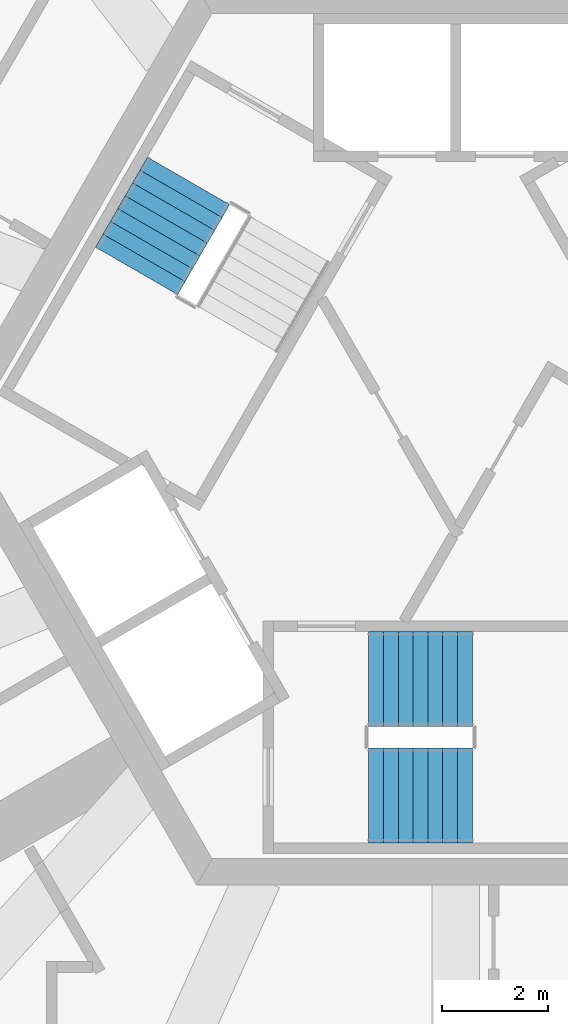
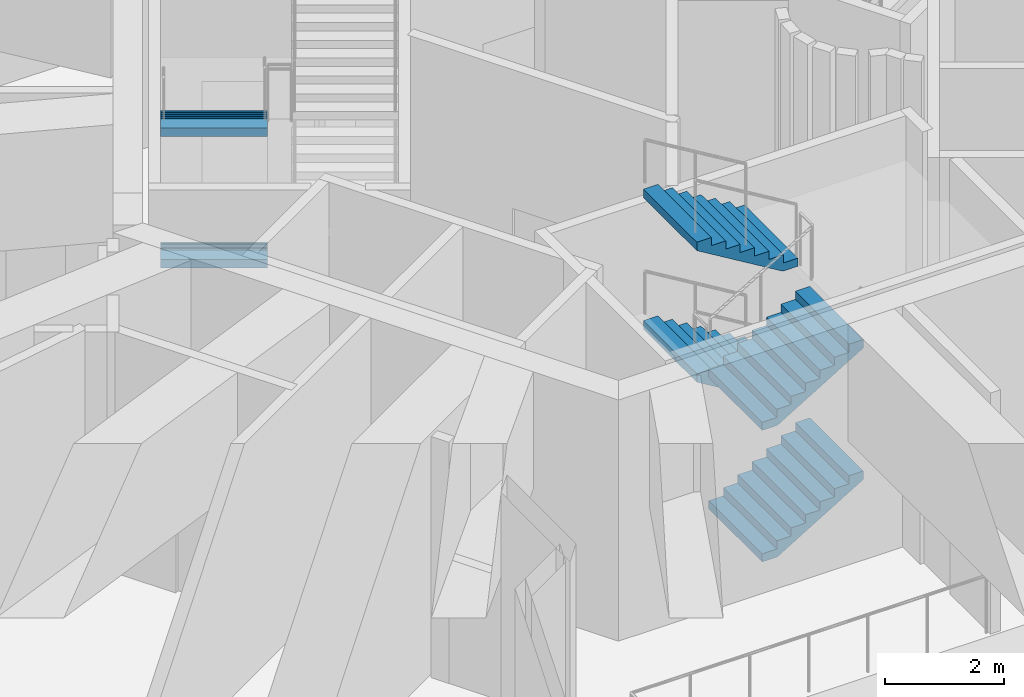
# One storey, part 8 of 15: 6 stair flights, 2 elements without a shape of their own.
"""IFC4 building model written with IfcOpenShell, lengths in metres."""

import ifcopenshell
import ifcopenshell.guid

model = None  # the IFC model being written
_history = None  # IfcOwnerHistory: only IFC2X3 demands one
_inside = {}  # id of a spatial element -> (the spatial element, [elements in it])
_under = {}  # id of a project, library or spatial element -> (it, [spatial elements below it])
_declared = {}  # id of a project -> (the project, [libraries it declares])
_typed = {}  # id of a type object -> (the type object, [elements of that type])
_made_of = {}  # id of a material, layer set ... -> (it, [elements and type objects made of it])


def new_model(schema):
    """Start an empty IFC model of exactly this schema.

    Asked for "IFC4X3", IfcOpenShell would pick the latest addendum, in which some entities
    have other attributes; the version numbers below select the first issue.
    IFC2X3 requires an IfcOwnerHistory on every rooted entity: one is made here for all.
    """
    global model, _history
    if schema == "IFC4X3":
        model = ifcopenshell.file(schema_version=(4, 3, 0, 0))
    else:
        model = ifcopenshell.file(schema=schema)
    _inside.clear()
    _under.clear()
    _declared.clear()
    _typed.clear()
    _made_of.clear()
    _history = None
    if model.schema == "IFC2X3":
        org = make("IfcOrganization", Name="unknown")
        user = make(
            "IfcPersonAndOrganization",
            ThePerson=make("IfcPerson", FamilyName="unknown"),
            TheOrganization=org,
        )
        app = make(
            "IfcApplication",
            ApplicationDeveloper=org,
            Version="unknown",
            ApplicationFullName="unknown",
            ApplicationIdentifier="unknown",
        )
        _history = make(
            "IfcOwnerHistory",
            OwningUser=user,
            OwningApplication=app,
            ChangeAction="ADDED",
            CreationDate=0,
        )
    return model


def make(cls, **values):
    """One entity of the class cls with the attributes given. An attribute that is None is left unset."""
    return model.create_entity(
        cls, **{name: value for name, value in values.items() if value is not None}
    )


def rooted(cls, **values):
    """An entity with a GlobalId (a new one), such as an element, a storey or a relation."""
    return make(cls, GlobalId=ifcopenshell.guid.new(), OwnerHistory=_history, **values)


def si_unit(unit_type, name, prefix=None):
    """IfcSIUnit, for example si_unit("LENGTHUNIT", "METRE", prefix="MILLI")."""
    return make("IfcSIUnit", UnitType=unit_type, Prefix=prefix, Name=name)


def assignment(units):
    """IfcUnitAssignment: the units of a project."""
    return None if units is None else make("IfcUnitAssignment", Units=units)


def point(xyz):
    """IfcCartesianPoint."""
    return None if xyz is None else make("IfcCartesianPoint", Coordinates=xyz)


def direction(xyz):
    """IfcDirection."""
    return None if xyz is None else make("IfcDirection", DirectionRatios=xyz)


def frame(location, z_axis=None, x_axis=None):
    """IfcAxis2Placement3D, a coordinate frame: its origin and axes. An axis left out is left unset."""
    return make(
        "IfcAxis2Placement3D",
        Location=point(location),
        Axis=direction(z_axis),
        RefDirection=direction(x_axis),
    )


def origin():
    """The frame at (0, 0, 0) with its axes left unset."""
    return frame((0.0, 0.0, 0.0))


def place(relative_to, where):
    """IfcLocalPlacement: puts the frame where relative to a parent placement (None: the world)."""
    return make(
        "IfcLocalPlacement", PlacementRelTo=relative_to, RelativePlacement=where
    )


def context(
    kind, dimensions, precision=None, world=None, true_north=None, identifier=None
):
    """IfcGeometricRepresentationContext, for example the 3D "Model" context."""
    return make(
        "IfcGeometricRepresentationContext",
        ContextIdentifier=identifier,
        ContextType=kind,
        CoordinateSpaceDimension=dimensions,
        Precision=precision,
        WorldCoordinateSystem=world,
        TrueNorth=true_north,
    )


def subcontext(parent, identifier, kind, view, scale=None):
    """IfcGeometricRepresentationSubContext, for example "Body" below "Model"."""
    return make(
        "IfcGeometricRepresentationSubContext",
        ContextIdentifier=identifier,
        ContextType=kind,
        ParentContext=parent,
        TargetScale=scale,
        TargetView=view,
    )


def project(units=None, contexts=None):
    """IfcProject with its units and contexts."""
    return rooted(
        "IfcProject",
        Name="project",
        RepresentationContexts=contexts,
        UnitsInContext=assignment(units),
    )


def spatial(cls, under=None, at=None, **own):
    """A site, building, storey or space (cls), placed at a placement, below another one or the project."""
    s = rooted(cls, ObjectPlacement=at, **own)
    if under is not None:
        _under.setdefault(under.id(), (under, []))[1].append(s)
    return s


def point_list(points):
    """IfcCartesianPointList2D or 3D."""
    cls = (
        "IfcCartesianPointList2D" if len(points[0]) == 2 else "IfcCartesianPointList3D"
    )
    return make(cls, CoordList=points)


def triangles(points, corners, closed=None, point_numbers=None):
    """IfcTriangulatedFaceSet: each triangle names its three corners, points numbered from 1."""
    return make(
        "IfcTriangulatedFaceSet",
        Coordinates=point_list(points),
        Closed=closed,
        CoordIndex=corners,
        PnIndex=point_numbers,
    )


def shape(context_of_items, identifier, shape_type, items):
    """IfcShapeRepresentation: the items that make up one representation, for example the "Body"."""
    return make(
        "IfcShapeRepresentation",
        ContextOfItems=context_of_items,
        RepresentationIdentifier=identifier,
        RepresentationType=shape_type,
        Items=items,
    )


def material(Name=None, Category=None):
    """IfcMaterial."""
    return make("IfcMaterial", Name=Name, Category=Category)


def made_of(thing, what):
    """Note that an element or type object is made of a material, layer set ...; save() writes the relation."""
    if what is not None:
        _made_of.setdefault(what.id(), (what, []))[1].append(thing)
    return thing


def type_object(cls, material=None, **own):
    """A type object (cls), such as IfcWallType, which elements share."""
    return made_of(rooted(cls, **own), material)


def element(
    cls,
    number,
    at=None,
    inside=None,
    cuts=None,
    type_object=None,
    material=None,
    context=None,
    identifier="Body",
    shape_type=None,
    held_by="IfcProductDefinitionShape",
    body=None,
    shapes=None,
    **own,
):
    """One element of the class cls, such as IfcWall. Its Tag is "e" and its number.

    at: its placement. inside: the storey or other place that contains it. cuts: it is an
    opening in that element (IfcRelVoidsElement). A single representation is given by context,
    identifier, shape_type and body (its items); several are given by shapes. held_by: the class
    of the entity that holds the representations. save() writes the other relations.
    """
    e = rooted(cls, Tag="e%d" % number, ObjectPlacement=at, **own)
    if body is not None:
        shapes = [shape(context, identifier, shape_type, body)]
    if shapes is not None:
        e.Representation = make(held_by, Representations=shapes)
    if inside is not None:
        _inside.setdefault(inside.id(), (inside, []))[1].append(e)
    if cuts is not None:
        rooted(
            "IfcRelVoidsElement", RelatingBuildingElement=cuts, RelatedOpeningElement=e
        )
    if type_object is not None:
        _typed.setdefault(type_object.id(), (type_object, []))[1].append(e)
    return made_of(e, material)


def aggregate(whole, parts):
    """IfcRelAggregates: a whole, such as a stair, and the parts it consists of."""
    return rooted("IfcRelAggregates", RelatingObject=whole, RelatedObjects=parts)


def save(model, path):
    """Write the relations noted so far, then the file.

    IfcRelAggregates (storeys below a building ...), IfcRelContainedInSpatialStructure (elements
    in a storey), IfcRelDefinesByType, IfcRelAssociatesMaterial and IfcRelDeclares: one each for
    every whole, place, type object, material and project.
    """
    for whole, parts in _under.values():
        aggregate(whole, parts)
    for where, things in _inside.values():
        rooted(
            "IfcRelContainedInSpatialStructure",
            RelatedElements=things,
            RelatingStructure=where,
        )
    for kind, things in _typed.values():
        rooted("IfcRelDefinesByType", RelatedObjects=things, RelatingType=kind)
    for what, things in _made_of.values():
        rooted("IfcRelAssociatesMaterial", RelatedObjects=things, RelatingMaterial=what)
    for by, libraries in _declared.values():
        rooted("IfcRelDeclares", RelatingContext=by, RelatedDefinitions=libraries)
    model.write(path)


model = new_model("IFC4")

# Units and contexts
model_context = context("Model", 3, precision=1e-05, world=origin(), true_north=direction((0.0, 1.0)))
body_context = subcontext(model_context, "Body", "Model", "MODEL_VIEW")
ifc_project = project(units=[si_unit("LENGTHUNIT", "METRE"), si_unit("AREAUNIT", "SQUARE_METRE"), si_unit("VOLUMEUNIT", "CUBIC_METRE"), si_unit("PLANEANGLEUNIT", "RADIAN"), si_unit("MASSUNIT", "GRAM", prefix="KILO")], contexts=[model_context])

# Site, building, storey
site_placement = place(None, origin())
site = spatial("IfcSite", under=ifc_project, at=site_placement, CompositionType="ELEMENT")
building_placement = place(site_placement, origin())
building = spatial("IfcBuilding", under=site, at=building_placement, Name="Entoto Arch Interchange Tower", CompositionType="ELEMENT")
storey_placement = place(building_placement, frame((0.0, 0.0, 326.0)))
storey = spatial("IfcBuildingStorey", under=building, at=storey_placement, Name="L77", CompositionType="ELEMENT", Elevation=326.0)

# Stair, stair flights
ifc_material = material(Name="Concrete C40/50", Category="concrete")
stair_type = type_object("IfcStairType", Name="EXIT STAIR RC 1800", PredefinedType="HALF_TURN_STAIR", material=ifc_material)
stair_1_placement = place(storey_placement, origin())
stair_1 = element("IfcStair", 1, at=stair_1_placement, inside=storey, type_object=stair_type, Name="L77 Exit stair S", PredefinedType="HALF_TURN_STAIR")
stair_flight_type = type_object("IfcStairFlightType", Name="EXIT STAIR FLIGHT RC 1800", PredefinedType="STRAIGHT", material=ifc_material)
stair_flight_1_placement = place(storey_placement, frame((-1.64990234375, -4.300048828125, 0.0), z_axis=(0.0, 0.0, 1.0), x_axis=(1.0, 0.0, 0.0)))
stair_flight_1 = element("IfcStairFlight", 2, at=stair_flight_1_placement, type_object=stair_flight_type, Name="ST-S flight 1", NumberOfRisers=8, NumberOfTreads=7, PredefinedType="STRAIGHT", RiserHeight=0.16875, TreadLength=0.28, context=body_context, shape_type="Tessellation", body=[
    triangles([(-0.003, -0.900024, 0.0), (-0.003, -0.900024, 0.16875), (0.28, -0.900024, 0.16875), (0.28, -0.900024, 0.3375), (0.56, -0.900024, 0.3375), (0.56, -0.900024, 0.50625), (0.84, -0.900024, 0.50625), (0.84, -0.900024, 0.675), (1.12, -0.900024, 0.675), (1.12, -0.900024, 0.84375), (1.4, -0.900024, 0.84375), (1.4, -0.900024, 1.0125), (1.68, -0.900024, 1.0125), (1.68, -0.900024, 1.18125), (1.96, -0.900024, 1.18125), (1.963, -0.900024, 1.18125), (1.963, -0.900024, 1.008036), (0.290406, -0.900024, 0.0), (-0.003, 0.900024, 0.0), (-0.003, 0.900024, 0.16875), (0.28, 0.900024, 0.16875), (0.28, 0.900024, 0.3375), (0.56, 0.900024, 0.3375), (0.56, 0.900024, 0.50625), (0.84, 0.900024, 0.50625), (0.84, 0.900024, 0.675), (1.12, 0.900024, 0.675), (1.12, 0.900024, 0.84375), (1.4, 0.900024, 0.84375), (1.4, 0.900024, 1.0125), (1.68, 0.900024, 1.0125), (1.68, 0.900024, 1.18125), (1.96, 0.900024, 1.18125), (1.963, 0.900024, 1.18125), (1.963, 0.900024, 1.008036), (0.290406, 0.900024, 0.0), (-0.003, -0.450012, 0.0), (-0.003, -0.450012, 0.16875), (-0.003, 0.0, 0.0), (-0.003, 0.0, 0.16875), (-0.003, 0.450012, 0.0), (-0.003, 0.450012, 0.16875), (0.28, -0.450012, 0.16875), (0.28, 0.0, 0.16875), (0.28, 0.450012, 0.16875), (0.28, -0.450012, 0.3375), (0.28, 0.0, 0.3375), (0.28, 0.450012, 0.3375), (0.56, -0.450012, 0.3375), (0.56, 0.0, 0.3375), (0.56, 0.450012, 0.3375), (0.56, -0.450012, 0.50625), (0.56, 0.0, 0.50625), (0.56, 0.450012, 0.50625), (0.84, -0.450012, 0.50625), (0.84, 0.0, 0.50625), (0.84, 0.450012, 0.50625), (0.84, -0.450012, 0.675), (0.84, 0.0, 0.675), (0.84, 0.450012, 0.675), (1.12, -0.450012, 0.675), (1.12, 0.0, 0.675), (1.12, 0.450012, 0.675), (1.12, -0.450012, 0.84375), (1.12, 0.0, 0.84375), (1.12, 0.450012, 0.84375), (1.4, -0.450012, 0.84375), (1.4, 0.0, 0.84375), (1.4, 0.450012, 0.84375), (1.4, -0.450012, 1.0125), (1.4, 0.0, 1.0125), (1.4, 0.450012, 1.0125), (1.68, -0.450012, 1.0125), (1.68, 0.0, 1.0125), (1.68, 0.450012, 1.0125), (1.68, -0.450012, 1.18125), (1.68, 0.0, 1.18125), (1.68, 0.450012, 1.18125), (1.96, -0.450012, 1.18125), (1.96, 0.0, 1.18125), (1.96, 0.450012, 1.18125), (1.963, -0.450012, 1.18125), (1.963, 0.0, 1.18125), (1.963, 0.450012, 1.18125), (1.963, -0.450012, 1.008036), (1.963, 0.0, 1.008036), (1.963, 0.450012, 1.008036), (0.290406, -0.450012, 0.0), (0.290406, 0.0, 0.0), (0.290406, 0.450012, 0.0)], [[1, 18, 17], [17, 16, 15], [17, 15, 14], [17, 14, 13], [17, 13, 12], [17, 12, 11], [11, 10, 9], [17, 11, 9], [9, 8, 7], [17, 9, 7], [7, 6, 5], [17, 7, 5], [5, 4, 3], [17, 5, 3], [1, 17, 3], [3, 2, 1], [19, 35, 36], [35, 33, 34], [35, 32, 33], [35, 31, 32], [35, 30, 31], [35, 29, 30], [29, 27, 28], [35, 27, 29], [27, 25, 26], [35, 25, 27], [25, 23, 24], [35, 23, 25], [23, 21, 22], [35, 21, 23], [19, 21, 35], [21, 19, 20], [1, 2, 38], [1, 38, 37], [37, 38, 40], [37, 40, 39], [39, 40, 42], [39, 42, 41], [41, 42, 20], [41, 20, 19], [2, 3, 43], [2, 43, 38], [38, 43, 44], [38, 44, 40], [40, 44, 45], [40, 45, 42], [42, 45, 21], [42, 21, 20], [3, 4, 46], [3, 46, 43], [43, 46, 47], [43, 47, 44], [44, 47, 48], [44, 48, 45], [45, 48, 22], [45, 22, 21], [4, 5, 49], [4, 49, 46], [46, 49, 50], [46, 50, 47], [47, 50, 51], [47, 51, 48], [48, 51, 23], [48, 23, 22], [5, 6, 52], [5, 52, 49], [49, 52, 53], [49, 53, 50], [50, 53, 54], [50, 54, 51], [51, 54, 24], [51, 24, 23], [6, 7, 55], [6, 55, 52], [52, 55, 56], [52, 56, 53], [53, 56, 57], [53, 57, 54], [54, 57, 25], [54, 25, 24], [7, 8, 58], [7, 58, 55], [55, 58, 59], [55, 59, 56], [56, 59, 60], [56, 60, 57], [57, 60, 26], [57, 26, 25], [8, 9, 61], [8, 61, 58], [58, 61, 62], [58, 62, 59], [59, 62, 63], [59, 63, 60], [60, 63, 27], [60, 27, 26], [9, 10, 64], [9, 64, 61], [61, 64, 65], [61, 65, 62], [62, 65, 66], [62, 66, 63], [63, 66, 28], [63, 28, 27], [10, 11, 67], [10, 67, 64], [64, 67, 68], [64, 68, 65], [65, 68, 69], [65, 69, 66], [66, 69, 29], [66, 29, 28], [11, 12, 70], [11, 70, 67], [67, 70, 71], [67, 71, 68], [68, 71, 72], [68, 72, 69], [69, 72, 30], [69, 30, 29], [12, 13, 73], [12, 73, 70], [70, 73, 74], [70, 74, 71], [71, 74, 75], [71, 75, 72], [72, 75, 31], [72, 31, 30], [13, 14, 76], [13, 76, 73], [73, 76, 77], [73, 77, 74], [74, 77, 78], [74, 78, 75], [75, 78, 32], [75, 32, 31], [14, 15, 79], [14, 79, 76], [76, 79, 80], [76, 80, 77], [77, 80, 81], [77, 81, 78], [78, 81, 33], [78, 33, 32], [15, 16, 82], [15, 82, 79], [79, 82, 83], [79, 83, 80], [80, 83, 84], [80, 84, 81], [81, 84, 34], [81, 34, 33], [16, 17, 85], [16, 85, 82], [82, 85, 86], [82, 86, 83], [83, 86, 87], [83, 87, 84], [84, 87, 35], [84, 35, 34], [17, 18, 88], [17, 88, 85], [85, 88, 89], [85, 89, 86], [86, 89, 90], [86, 90, 87], [87, 90, 36], [87, 36, 35], [18, 1, 37], [18, 37, 88], [88, 37, 39], [88, 39, 89], [89, 39, 41], [89, 41, 90], [90, 41, 19], [90, 19, 36]], closed=True),
])
stair_flight_2_placement = place(storey_placement, frame((0.31005859375, -2.10009765625, 1.35009765625), z_axis=(0.0, 0.0, 1.0), x_axis=(-1.0, 0.0, 0.0)))
stair_flight_2 = element("IfcStairFlight", 3, at=stair_flight_2_placement, type_object=stair_flight_type, Name="ST-S flight 2", NumberOfRisers=8, NumberOfTreads=7, PredefinedType="STRAIGHT", RiserHeight=0.16875, TreadLength=0.28, context=body_context, shape_type="Tessellation", body=[
    triangles([(-0.003, -0.900024, 0.0), (-0.003, -0.900024, 0.16875), (0.28, -0.900024, 0.16875), (0.28, -0.900024, 0.3375), (0.56, -0.900024, 0.3375), (0.56, -0.900024, 0.50625), (0.84, -0.900024, 0.50625), (0.84, -0.900024, 0.675), (1.12, -0.900024, 0.675), (1.12, -0.900024, 0.84375), (1.4, -0.900024, 0.84375), (1.4, -0.900024, 1.0125), (1.68, -0.900024, 1.0125), (1.68, -0.900024, 1.18125), (1.96, -0.900024, 1.18125), (1.963, -0.900024, 1.18125), (1.963, -0.900024, 1.008036), (0.290406, -0.900024, 0.0), (-0.003, 0.900024, 0.0), (-0.003, 0.900024, 0.16875), (0.28, 0.900024, 0.16875), (0.28, 0.900024, 0.3375), (0.56, 0.900024, 0.3375), (0.56, 0.900024, 0.50625), (0.84, 0.900024, 0.50625), (0.84, 0.900024, 0.675), (1.12, 0.900024, 0.675), (1.12, 0.900024, 0.84375), (1.4, 0.900024, 0.84375), (1.4, 0.900024, 1.0125), (1.68, 0.900024, 1.0125), (1.68, 0.900024, 1.18125), (1.96, 0.900024, 1.18125), (1.963, 0.900024, 1.18125), (1.963, 0.900024, 1.008036), (0.290406, 0.900024, 0.0), (-0.003, -0.450012, 0.0), (-0.003, -0.450012, 0.16875), (-0.003, 0.0, 0.0), (-0.003, 0.0, 0.16875), (-0.003, 0.450012, 0.0), (-0.003, 0.450012, 0.16875), (0.28, -0.450012, 0.16875), (0.28, 0.0, 0.16875), (0.28, 0.450012, 0.16875), (0.28, -0.450012, 0.3375), (0.28, 0.0, 0.3375), (0.28, 0.450012, 0.3375), (0.56, -0.450012, 0.3375), (0.56, 0.0, 0.3375), (0.56, 0.450012, 0.3375), (0.56, -0.450012, 0.50625), (0.56, 0.0, 0.50625), (0.56, 0.450012, 0.50625), (0.84, -0.450012, 0.50625), (0.84, 0.0, 0.50625), (0.84, 0.450012, 0.50625), (0.84, -0.450012, 0.675), (0.84, 0.0, 0.675), (0.84, 0.450012, 0.675), (1.12, -0.450012, 0.675), (1.12, 0.0, 0.675), (1.12, 0.450012, 0.675), (1.12, -0.450012, 0.84375), (1.12, 0.0, 0.84375), (1.12, 0.450012, 0.84375), (1.4, -0.450012, 0.84375), (1.4, 0.0, 0.84375), (1.4, 0.450012, 0.84375), (1.4, -0.450012, 1.0125), (1.4, 0.0, 1.0125), (1.4, 0.450012, 1.0125), (1.68, -0.450012, 1.0125), (1.68, 0.0, 1.0125), (1.68, 0.450012, 1.0125), (1.68, -0.450012, 1.18125), (1.68, 0.0, 1.18125), (1.68, 0.450012, 1.18125), (1.96, -0.450012, 1.18125), (1.96, 0.0, 1.18125), (1.96, 0.450012, 1.18125), (1.963, -0.450012, 1.18125), (1.963, 0.0, 1.18125), (1.963, 0.450012, 1.18125), (1.963, -0.450012, 1.008036), (1.963, 0.0, 1.008036), (1.963, 0.450012, 1.008036), (0.290406, -0.450012, 0.0), (0.290406, 0.0, 0.0), (0.290406, 0.450012, 0.0)], [[1, 18, 17], [17, 16, 15], [17, 15, 14], [17, 14, 13], [17, 13, 12], [17, 12, 11], [11, 10, 9], [17, 11, 9], [9, 8, 7], [17, 9, 7], [7, 6, 5], [17, 7, 5], [5, 4, 3], [17, 5, 3], [1, 17, 3], [3, 2, 1], [19, 35, 36], [35, 33, 34], [35, 32, 33], [35, 31, 32], [35, 30, 31], [35, 29, 30], [29, 27, 28], [35, 27, 29], [27, 25, 26], [35, 25, 27], [25, 23, 24], [35, 23, 25], [23, 21, 22], [35, 21, 23], [19, 21, 35], [21, 19, 20], [1, 2, 38], [1, 38, 37], [37, 38, 40], [37, 40, 39], [39, 40, 42], [39, 42, 41], [41, 42, 20], [41, 20, 19], [2, 3, 43], [2, 43, 38], [38, 43, 44], [38, 44, 40], [40, 44, 45], [40, 45, 42], [42, 45, 21], [42, 21, 20], [3, 4, 46], [3, 46, 43], [43, 46, 47], [43, 47, 44], [44, 47, 48], [44, 48, 45], [45, 48, 22], [45, 22, 21], [4, 5, 49], [4, 49, 46], [46, 49, 50], [46, 50, 47], [47, 50, 51], [47, 51, 48], [48, 51, 23], [48, 23, 22], [5, 6, 52], [5, 52, 49], [49, 52, 53], [49, 53, 50], [50, 53, 54], [50, 54, 51], [51, 54, 24], [51, 24, 23], [6, 7, 55], [6, 55, 52], [52, 55, 56], [52, 56, 53], [53, 56, 57], [53, 57, 54], [54, 57, 25], [54, 25, 24], [7, 8, 58], [7, 58, 55], [55, 58, 59], [55, 59, 56], [56, 59, 60], [56, 60, 57], [57, 60, 26], [57, 26, 25], [8, 9, 61], [8, 61, 58], [58, 61, 62], [58, 62, 59], [59, 62, 63], [59, 63, 60], [60, 63, 27], [60, 27, 26], [9, 10, 64], [9, 64, 61], [61, 64, 65], [61, 65, 62], [62, 65, 66], [62, 66, 63], [63, 66, 28], [63, 28, 27], [10, 11, 67], [10, 67, 64], [64, 67, 68], [64, 68, 65], [65, 68, 69], [65, 69, 66], [66, 69, 29], [66, 29, 28], [11, 12, 70], [11, 70, 67], [67, 70, 71], [67, 71, 68], [68, 71, 72], [68, 72, 69], [69, 72, 30], [69, 30, 29], [12, 13, 73], [12, 73, 70], [70, 73, 74], [70, 74, 71], [71, 74, 75], [71, 75, 72], [72, 75, 31], [72, 31, 30], [13, 14, 76], [13, 76, 73], [73, 76, 77], [73, 77, 74], [74, 77, 78], [74, 78, 75], [75, 78, 32], [75, 32, 31], [14, 15, 79], [14, 79, 76], [76, 79, 80], [76, 80, 77], [77, 80, 81], [77, 81, 78], [78, 81, 33], [78, 33, 32], [15, 16, 82], [15, 82, 79], [79, 82, 83], [79, 83, 80], [80, 83, 84], [80, 84, 81], [81, 84, 34], [81, 34, 33], [16, 17, 85], [16, 85, 82], [82, 85, 86], [82, 86, 83], [83, 86, 87], [83, 87, 84], [84, 87, 35], [84, 35, 34], [17, 18, 88], [17, 88, 85], [85, 88, 89], [85, 89, 86], [86, 89, 90], [86, 90, 87], [87, 90, 36], [87, 36, 35], [18, 1, 37], [18, 37, 88], [88, 37, 39], [88, 39, 89], [89, 39, 41], [89, 41, 90], [90, 41, 19], [90, 19, 36]], closed=True),
])
stair_flight_3_placement = place(storey_placement, frame((-1.64990234375, -4.300048828125, 2.699951171875), z_axis=(0.0, 0.0, 1.0), x_axis=(1.0, 0.0, 0.0)))
stair_flight_3 = element("IfcStairFlight", 4, at=stair_flight_3_placement, type_object=stair_flight_type, Name="ST-S flight 3", NumberOfRisers=8, NumberOfTreads=7, PredefinedType="STRAIGHT", RiserHeight=0.16875, TreadLength=0.28, context=body_context, shape_type="Tessellation", body=[
    triangles([(-0.003, -0.900024, 0.0), (-0.003, -0.900024, 0.16875), (0.28, -0.900024, 0.16875), (0.28, -0.900024, 0.3375), (0.56, -0.900024, 0.3375), (0.56, -0.900024, 0.50625), (0.84, -0.900024, 0.50625), (0.84, -0.900024, 0.675), (1.12, -0.900024, 0.675), (1.12, -0.900024, 0.84375), (1.4, -0.900024, 0.84375), (1.4, -0.900024, 1.0125), (1.68, -0.900024, 1.0125), (1.68, -0.900024, 1.18125), (1.96, -0.900024, 1.18125), (1.963, -0.900024, 1.18125), (1.963, -0.900024, 1.008036), (0.290406, -0.900024, 0.0), (-0.003, 0.900024, 0.0), (-0.003, 0.900024, 0.16875), (0.28, 0.900024, 0.16875), (0.28, 0.900024, 0.3375), (0.56, 0.900024, 0.3375), (0.56, 0.900024, 0.50625), (0.84, 0.900024, 0.50625), (0.84, 0.900024, 0.675), (1.12, 0.900024, 0.675), (1.12, 0.900024, 0.84375), (1.4, 0.900024, 0.84375), (1.4, 0.900024, 1.0125), (1.68, 0.900024, 1.0125), (1.68, 0.900024, 1.18125), (1.96, 0.900024, 1.18125), (1.963, 0.900024, 1.18125), (1.963, 0.900024, 1.008036), (0.290406, 0.900024, 0.0), (-0.003, -0.450012, 0.0), (-0.003, -0.450012, 0.16875), (-0.003, 0.0, 0.0), (-0.003, 0.0, 0.16875), (-0.003, 0.450012, 0.0), (-0.003, 0.450012, 0.16875), (0.28, -0.450012, 0.16875), (0.28, 0.0, 0.16875), (0.28, 0.450012, 0.16875), (0.28, -0.450012, 0.3375), (0.28, 0.0, 0.3375), (0.28, 0.450012, 0.3375), (0.56, -0.450012, 0.3375), (0.56, 0.0, 0.3375), (0.56, 0.450012, 0.3375), (0.56, -0.450012, 0.50625), (0.56, 0.0, 0.50625), (0.56, 0.450012, 0.50625), (0.84, -0.450012, 0.50625), (0.84, 0.0, 0.50625), (0.84, 0.450012, 0.50625), (0.84, -0.450012, 0.675), (0.84, 0.0, 0.675), (0.84, 0.450012, 0.675), (1.12, -0.450012, 0.675), (1.12, 0.0, 0.675), (1.12, 0.450012, 0.675), (1.12, -0.450012, 0.84375), (1.12, 0.0, 0.84375), (1.12, 0.450012, 0.84375), (1.4, -0.450012, 0.84375), (1.4, 0.0, 0.84375), (1.4, 0.450012, 0.84375), (1.4, -0.450012, 1.0125), (1.4, 0.0, 1.0125), (1.4, 0.450012, 1.0125), (1.68, -0.450012, 1.0125), (1.68, 0.0, 1.0125), (1.68, 0.450012, 1.0125), (1.68, -0.450012, 1.18125), (1.68, 0.0, 1.18125), (1.68, 0.450012, 1.18125), (1.96, -0.450012, 1.18125), (1.96, 0.0, 1.18125), (1.96, 0.450012, 1.18125), (1.963, -0.450012, 1.18125), (1.963, 0.0, 1.18125), (1.963, 0.450012, 1.18125), (1.963, -0.450012, 1.008036), (1.963, 0.0, 1.008036), (1.963, 0.450012, 1.008036), (0.290406, -0.450012, 0.0), (0.290406, 0.0, 0.0), (0.290406, 0.450012, 0.0)], [[1, 18, 17], [17, 16, 15], [17, 15, 14], [17, 14, 13], [17, 13, 12], [17, 12, 11], [11, 10, 9], [17, 11, 9], [9, 8, 7], [17, 9, 7], [7, 6, 5], [17, 7, 5], [5, 4, 3], [17, 5, 3], [1, 17, 3], [3, 2, 1], [19, 35, 36], [35, 33, 34], [35, 32, 33], [35, 31, 32], [35, 30, 31], [35, 29, 30], [29, 27, 28], [35, 27, 29], [27, 25, 26], [35, 25, 27], [25, 23, 24], [35, 23, 25], [23, 21, 22], [35, 21, 23], [19, 21, 35], [21, 19, 20], [1, 2, 38], [1, 38, 37], [37, 38, 40], [37, 40, 39], [39, 40, 42], [39, 42, 41], [41, 42, 20], [41, 20, 19], [2, 3, 43], [2, 43, 38], [38, 43, 44], [38, 44, 40], [40, 44, 45], [40, 45, 42], [42, 45, 21], [42, 21, 20], [3, 4, 46], [3, 46, 43], [43, 46, 47], [43, 47, 44], [44, 47, 48], [44, 48, 45], [45, 48, 22], [45, 22, 21], [4, 5, 49], [4, 49, 46], [46, 49, 50], [46, 50, 47], [47, 50, 51], [47, 51, 48], [48, 51, 23], [48, 23, 22], [5, 6, 52], [5, 52, 49], [49, 52, 53], [49, 53, 50], [50, 53, 54], [50, 54, 51], [51, 54, 24], [51, 24, 23], [6, 7, 55], [6, 55, 52], [52, 55, 56], [52, 56, 53], [53, 56, 57], [53, 57, 54], [54, 57, 25], [54, 25, 24], [7, 8, 58], [7, 58, 55], [55, 58, 59], [55, 59, 56], [56, 59, 60], [56, 60, 57], [57, 60, 26], [57, 26, 25], [8, 9, 61], [8, 61, 58], [58, 61, 62], [58, 62, 59], [59, 62, 63], [59, 63, 60], [60, 63, 27], [60, 27, 26], [9, 10, 64], [9, 64, 61], [61, 64, 65], [61, 65, 62], [62, 65, 66], [62, 66, 63], [63, 66, 28], [63, 28, 27], [10, 11, 67], [10, 67, 64], [64, 67, 68], [64, 68, 65], [65, 68, 69], [65, 69, 66], [66, 69, 29], [66, 29, 28], [11, 12, 70], [11, 70, 67], [67, 70, 71], [67, 71, 68], [68, 71, 72], [68, 72, 69], [69, 72, 30], [69, 30, 29], [12, 13, 73], [12, 73, 70], [70, 73, 74], [70, 74, 71], [71, 74, 75], [71, 75, 72], [72, 75, 31], [72, 31, 30], [13, 14, 76], [13, 76, 73], [73, 76, 77], [73, 77, 74], [74, 77, 78], [74, 78, 75], [75, 78, 32], [75, 32, 31], [14, 15, 79], [14, 79, 76], [76, 79, 80], [76, 80, 77], [77, 80, 81], [77, 81, 78], [78, 81, 33], [78, 33, 32], [15, 16, 82], [15, 82, 79], [79, 82, 83], [79, 83, 80], [80, 83, 84], [80, 84, 81], [81, 84, 34], [81, 34, 33], [16, 17, 85], [16, 85, 82], [82, 85, 86], [82, 86, 83], [83, 86, 87], [83, 87, 84], [84, 87, 35], [84, 35, 34], [17, 18, 88], [17, 88, 85], [85, 88, 89], [85, 89, 86], [86, 89, 90], [86, 90, 87], [87, 90, 36], [87, 36, 35], [18, 1, 37], [18, 37, 88], [88, 37, 39], [88, 39, 89], [89, 39, 41], [89, 41, 90], [90, 41, 19], [90, 19, 36]], closed=True),
])
stair_flight_4_placement = place(storey_placement, frame((0.31005859375, -2.10009765625, 4.050048828125), z_axis=(0.0, 0.0, 1.0), x_axis=(-1.0, 0.0, 0.0)))
stair_flight_4 = element("IfcStairFlight", 5, at=stair_flight_4_placement, type_object=stair_flight_type, Name="ST-S flight 4", NumberOfRisers=8, NumberOfTreads=7, PredefinedType="STRAIGHT", RiserHeight=0.16875, TreadLength=0.28, context=body_context, shape_type="Tessellation", body=[
    triangles([(-0.003, -0.900024, 0.0), (-0.003, -0.900024, 0.16875), (0.28, -0.900024, 0.16875), (0.28, -0.900024, 0.3375), (0.56, -0.900024, 0.3375), (0.56, -0.900024, 0.50625), (0.84, -0.900024, 0.50625), (0.84, -0.900024, 0.675), (1.12, -0.900024, 0.675), (1.12, -0.900024, 0.84375), (1.4, -0.900024, 0.84375), (1.4, -0.900024, 1.0125), (1.68, -0.900024, 1.0125), (1.68, -0.900024, 1.18125), (1.96, -0.900024, 1.18125), (1.963, -0.900024, 1.18125), (1.963, -0.900024, 1.008036), (0.290406, -0.900024, 0.0), (-0.003, 0.900024, 0.0), (-0.003, 0.900024, 0.16875), (0.28, 0.900024, 0.16875), (0.28, 0.900024, 0.3375), (0.56, 0.900024, 0.3375), (0.56, 0.900024, 0.50625), (0.84, 0.900024, 0.50625), (0.84, 0.900024, 0.675), (1.12, 0.900024, 0.675), (1.12, 0.900024, 0.84375), (1.4, 0.900024, 0.84375), (1.4, 0.900024, 1.0125), (1.68, 0.900024, 1.0125), (1.68, 0.900024, 1.18125), (1.96, 0.900024, 1.18125), (1.963, 0.900024, 1.18125), (1.963, 0.900024, 1.008036), (0.290406, 0.900024, 0.0), (-0.003, -0.450012, 0.0), (-0.003, -0.450012, 0.16875), (-0.003, 0.0, 0.0), (-0.003, 0.0, 0.16875), (-0.003, 0.450012, 0.0), (-0.003, 0.450012, 0.16875), (0.28, -0.450012, 0.16875), (0.28, 0.0, 0.16875), (0.28, 0.450012, 0.16875), (0.28, -0.450012, 0.3375), (0.28, 0.0, 0.3375), (0.28, 0.450012, 0.3375), (0.56, -0.450012, 0.3375), (0.56, 0.0, 0.3375), (0.56, 0.450012, 0.3375), (0.56, -0.450012, 0.50625), (0.56, 0.0, 0.50625), (0.56, 0.450012, 0.50625), (0.84, -0.450012, 0.50625), (0.84, 0.0, 0.50625), (0.84, 0.450012, 0.50625), (0.84, -0.450012, 0.675), (0.84, 0.0, 0.675), (0.84, 0.450012, 0.675), (1.12, -0.450012, 0.675), (1.12, 0.0, 0.675), (1.12, 0.450012, 0.675), (1.12, -0.450012, 0.84375), (1.12, 0.0, 0.84375), (1.12, 0.450012, 0.84375), (1.4, -0.450012, 0.84375), (1.4, 0.0, 0.84375), (1.4, 0.450012, 0.84375), (1.4, -0.450012, 1.0125), (1.4, 0.0, 1.0125), (1.4, 0.450012, 1.0125), (1.68, -0.450012, 1.0125), (1.68, 0.0, 1.0125), (1.68, 0.450012, 1.0125), (1.68, -0.450012, 1.18125), (1.68, 0.0, 1.18125), (1.68, 0.450012, 1.18125), (1.96, -0.450012, 1.18125), (1.96, 0.0, 1.18125), (1.96, 0.450012, 1.18125), (1.963, -0.450012, 1.18125), (1.963, 0.0, 1.18125), (1.963, 0.450012, 1.18125), (1.963, -0.450012, 1.008036), (1.963, 0.0, 1.008036), (1.963, 0.450012, 1.008036), (0.290406, -0.450012, 0.0), (0.290406, 0.0, 0.0), (0.290406, 0.450012, 0.0)], [[1, 18, 17], [17, 16, 15], [17, 15, 14], [17, 14, 13], [17, 13, 12], [17, 12, 11], [11, 10, 9], [17, 11, 9], [9, 8, 7], [17, 9, 7], [7, 6, 5], [17, 7, 5], [5, 4, 3], [17, 5, 3], [1, 17, 3], [3, 2, 1], [19, 35, 36], [35, 33, 34], [35, 32, 33], [35, 31, 32], [35, 30, 31], [35, 29, 30], [29, 27, 28], [35, 27, 29], [27, 25, 26], [35, 25, 27], [25, 23, 24], [35, 23, 25], [23, 21, 22], [35, 21, 23], [19, 21, 35], [21, 19, 20], [1, 2, 38], [1, 38, 37], [37, 38, 40], [37, 40, 39], [39, 40, 42], [39, 42, 41], [41, 42, 20], [41, 20, 19], [2, 3, 43], [2, 43, 38], [38, 43, 44], [38, 44, 40], [40, 44, 45], [40, 45, 42], [42, 45, 21], [42, 21, 20], [3, 4, 46], [3, 46, 43], [43, 46, 47], [43, 47, 44], [44, 47, 48], [44, 48, 45], [45, 48, 22], [45, 22, 21], [4, 5, 49], [4, 49, 46], [46, 49, 50], [46, 50, 47], [47, 50, 51], [47, 51, 48], [48, 51, 23], [48, 23, 22], [5, 6, 52], [5, 52, 49], [49, 52, 53], [49, 53, 50], [50, 53, 54], [50, 54, 51], [51, 54, 24], [51, 24, 23], [6, 7, 55], [6, 55, 52], [52, 55, 56], [52, 56, 53], [53, 56, 57], [53, 57, 54], [54, 57, 25], [54, 25, 24], [7, 8, 58], [7, 58, 55], [55, 58, 59], [55, 59, 56], [56, 59, 60], [56, 60, 57], [57, 60, 26], [57, 26, 25], [8, 9, 61], [8, 61, 58], [58, 61, 62], [58, 62, 59], [59, 62, 63], [59, 63, 60], [60, 63, 27], [60, 27, 26], [9, 10, 64], [9, 64, 61], [61, 64, 65], [61, 65, 62], [62, 65, 66], [62, 66, 63], [63, 66, 28], [63, 28, 27], [10, 11, 67], [10, 67, 64], [64, 67, 68], [64, 68, 65], [65, 68, 69], [65, 69, 66], [66, 69, 29], [66, 29, 28], [11, 12, 70], [11, 70, 67], [67, 70, 71], [67, 71, 68], [68, 71, 72], [68, 72, 69], [69, 72, 30], [69, 30, 29], [12, 13, 73], [12, 73, 70], [70, 73, 74], [70, 74, 71], [71, 74, 75], [71, 75, 72], [72, 75, 31], [72, 31, 30], [13, 14, 76], [13, 76, 73], [73, 76, 77], [73, 77, 74], [74, 77, 78], [74, 78, 75], [75, 78, 32], [75, 32, 31], [14, 15, 79], [14, 79, 76], [76, 79, 80], [76, 80, 77], [77, 80, 81], [77, 81, 78], [78, 81, 33], [78, 33, 32], [15, 16, 82], [15, 82, 79], [79, 82, 83], [79, 83, 80], [80, 83, 84], [80, 84, 81], [81, 84, 34], [81, 34, 33], [16, 17, 85], [16, 85, 82], [82, 85, 86], [82, 86, 83], [83, 86, 87], [83, 87, 84], [84, 87, 35], [84, 35, 34], [17, 18, 88], [17, 88, 85], [85, 88, 89], [85, 89, 86], [86, 89, 90], [86, 90, 87], [87, 90, 36], [87, 36, 35], [18, 1, 37], [18, 37, 88], [88, 37, 39], [88, 39, 89], [89, 39, 41], [89, 41, 90], [90, 41, 19], [90, 19, 36]], closed=True),
])
aggregate(stair_1, [stair_flight_1, stair_flight_2, stair_flight_3, stair_flight_4])

stair_2_placement = place(storey_placement, origin())
stair_2 = element("IfcStair", 6, at=stair_2_placement, inside=storey, type_object=stair_type, Name="L77 Exit stair NW", PredefinedType="HALF_TURN_STAIR")
stair_flight_5_placement = place(storey_placement, frame((-5.06396484375, 7.328857421875, 0.0), z_axis=(0.0, 0.0, 1.0), x_axis=(-0.5, -0.866025403784, 0.0)))
stair_flight_5 = element("IfcStairFlight", 7, at=stair_flight_5_placement, type_object=stair_flight_type, Name="ST-NW flight 1", NumberOfRisers=8, NumberOfTreads=7, PredefinedType="STRAIGHT", RiserHeight=0.16875, TreadLength=0.28, context=body_context, shape_type="Tessellation", body=[
    triangles([(-0.003, -0.900024, 0.0), (-0.003, -0.900024, 0.16875), (0.28, -0.900024, 0.16875), (0.28, -0.900024, 0.3375), (0.56, -0.900024, 0.3375), (0.56, -0.900024, 0.50625), (0.84, -0.900024, 0.50625), (0.84, -0.900024, 0.675), (1.12, -0.900024, 0.675), (1.12, -0.900024, 0.84375), (1.4, -0.900024, 0.84375), (1.4, -0.900024, 1.0125), (1.68, -0.900024, 1.0125), (1.68, -0.900024, 1.18125), (1.96, -0.900024, 1.18125), (1.963, -0.900024, 1.18125), (1.963, -0.900024, 1.008036), (0.290406, -0.900024, 0.0), (-0.003, 0.900024, 0.0), (-0.003, 0.900024, 0.16875), (0.28, 0.900024, 0.16875), (0.28, 0.900024, 0.3375), (0.56, 0.900024, 0.3375), (0.56, 0.900024, 0.50625), (0.84, 0.900024, 0.50625), (0.84, 0.900024, 0.675), (1.12, 0.900024, 0.675), (1.12, 0.900024, 0.84375), (1.4, 0.900024, 0.84375), (1.4, 0.900024, 1.0125), (1.68, 0.900024, 1.0125), (1.68, 0.900024, 1.18125), (1.96, 0.900024, 1.18125), (1.963, 0.900024, 1.18125), (1.963, 0.900024, 1.008036), (0.290406, 0.900024, 0.0), (-0.003, -0.450012, 0.0), (-0.003, -0.450012, 0.16875), (-0.003, 0.0, 0.0), (-0.003, 0.0, 0.16875), (-0.003, 0.450012, 0.0), (-0.003, 0.450012, 0.16875), (0.28, -0.450012, 0.16875), (0.28, 0.0, 0.16875), (0.28, 0.450012, 0.16875), (0.28, -0.450012, 0.3375), (0.28, 0.0, 0.3375), (0.28, 0.450012, 0.3375), (0.56, -0.450012, 0.3375), (0.56, 0.0, 0.3375), (0.56, 0.450012, 0.3375), (0.56, -0.450012, 0.50625), (0.56, 0.0, 0.50625), (0.56, 0.450012, 0.50625), (0.84, -0.450012, 0.50625), (0.84, 0.0, 0.50625), (0.84, 0.450012, 0.50625), (0.84, -0.450012, 0.675), (0.84, 0.0, 0.675), (0.84, 0.450012, 0.675), (1.12, -0.450012, 0.675), (1.12, 0.0, 0.675), (1.12, 0.450012, 0.675), (1.12, -0.450012, 0.84375), (1.12, 0.0, 0.84375), (1.12, 0.450012, 0.84375), (1.4, -0.450012, 0.84375), (1.4, 0.0, 0.84375), (1.4, 0.450012, 0.84375), (1.4, -0.450012, 1.0125), (1.4, 0.0, 1.0125), (1.4, 0.450012, 1.0125), (1.68, -0.450012, 1.0125), (1.68, 0.0, 1.0125), (1.68, 0.450012, 1.0125), (1.68, -0.450012, 1.18125), (1.68, 0.0, 1.18125), (1.68, 0.450012, 1.18125), (1.96, -0.450012, 1.18125), (1.96, 0.0, 1.18125), (1.96, 0.450012, 1.18125), (1.963, -0.450012, 1.18125), (1.963, 0.0, 1.18125), (1.963, 0.450012, 1.18125), (1.963, -0.450012, 1.008036), (1.963, 0.0, 1.008036), (1.963, 0.450012, 1.008036), (0.290406, -0.450012, 0.0), (0.290406, 0.0, 0.0), (0.290406, 0.450012, 0.0)], [[1, 18, 17], [17, 16, 15], [17, 15, 14], [17, 14, 13], [17, 13, 12], [17, 12, 11], [11, 10, 9], [17, 11, 9], [9, 8, 7], [17, 9, 7], [7, 6, 5], [17, 7, 5], [5, 4, 3], [17, 5, 3], [1, 17, 3], [3, 2, 1], [19, 35, 36], [35, 33, 34], [35, 32, 33], [35, 31, 32], [35, 30, 31], [35, 29, 30], [29, 27, 28], [35, 27, 29], [27, 25, 26], [35, 25, 27], [25, 23, 24], [35, 23, 25], [23, 21, 22], [35, 21, 23], [19, 21, 35], [21, 19, 20], [1, 2, 38], [1, 38, 37], [37, 38, 40], [37, 40, 39], [39, 40, 42], [39, 42, 41], [41, 42, 20], [41, 20, 19], [2, 3, 43], [2, 43, 38], [38, 43, 44], [38, 44, 40], [40, 44, 45], [40, 45, 42], [42, 45, 21], [42, 21, 20], [3, 4, 46], [3, 46, 43], [43, 46, 47], [43, 47, 44], [44, 47, 48], [44, 48, 45], [45, 48, 22], [45, 22, 21], [4, 5, 49], [4, 49, 46], [46, 49, 50], [46, 50, 47], [47, 50, 51], [47, 51, 48], [48, 51, 23], [48, 23, 22], [5, 6, 52], [5, 52, 49], [49, 52, 53], [49, 53, 50], [50, 53, 54], [50, 54, 51], [51, 54, 24], [51, 24, 23], [6, 7, 55], [6, 55, 52], [52, 55, 56], [52, 56, 53], [53, 56, 57], [53, 57, 54], [54, 57, 25], [54, 25, 24], [7, 8, 58], [7, 58, 55], [55, 58, 59], [55, 59, 56], [56, 59, 60], [56, 60, 57], [57, 60, 26], [57, 26, 25], [8, 9, 61], [8, 61, 58], [58, 61, 62], [58, 62, 59], [59, 62, 63], [59, 63, 60], [60, 63, 27], [60, 27, 26], [9, 10, 64], [9, 64, 61], [61, 64, 65], [61, 65, 62], [62, 65, 66], [62, 66, 63], [63, 66, 28], [63, 28, 27], [10, 11, 67], [10, 67, 64], [64, 67, 68], [64, 68, 65], [65, 68, 69], [65, 69, 66], [66, 69, 29], [66, 29, 28], [11, 12, 70], [11, 70, 67], [67, 70, 71], [67, 71, 68], [68, 71, 72], [68, 72, 69], [69, 72, 30], [69, 30, 29], [12, 13, 73], [12, 73, 70], [70, 73, 74], [70, 74, 71], [71, 74, 75], [71, 75, 72], [72, 75, 31], [72, 31, 30], [13, 14, 76], [13, 76, 73], [73, 76, 77], [73, 77, 74], [74, 77, 78], [74, 78, 75], [75, 78, 32], [75, 32, 31], [14, 15, 79], [14, 79, 76], [76, 79, 80], [76, 80, 77], [77, 80, 81], [77, 81, 78], [78, 81, 33], [78, 33, 32], [15, 16, 82], [15, 82, 79], [79, 82, 83], [79, 83, 80], [80, 83, 84], [80, 84, 81], [81, 84, 34], [81, 34, 33], [16, 17, 85], [16, 85, 82], [82, 85, 86], [82, 86, 83], [83, 86, 87], [83, 87, 84], [84, 87, 35], [84, 35, 34], [17, 18, 88], [17, 88, 85], [85, 88, 89], [85, 89, 86], [86, 89, 90], [86, 90, 87], [87, 90, 36], [87, 36, 35], [18, 1, 37], [18, 37, 88], [88, 37, 39], [88, 39, 89], [89, 39, 41], [89, 41, 90], [90, 41, 19], [90, 19, 36]], closed=True),
])
stair_flight_6_placement = place(storey_placement, frame((-5.06396484375, 7.328857421875, 2.699951171875), z_axis=(0.0, 0.0, 1.0), x_axis=(-0.5, -0.866025403784, 0.0)))
stair_flight_6 = element("IfcStairFlight", 8, at=stair_flight_6_placement, type_object=stair_flight_type, Name="ST-NW flight 3", NumberOfRisers=8, NumberOfTreads=7, PredefinedType="STRAIGHT", RiserHeight=0.16875, TreadLength=0.28, context=body_context, shape_type="Tessellation", body=[
    triangles([(-0.003, -0.900024, 0.0), (-0.003, -0.900024, 0.16875), (0.28, -0.900024, 0.16875), (0.28, -0.900024, 0.3375), (0.56, -0.900024, 0.3375), (0.56, -0.900024, 0.50625), (0.84, -0.900024, 0.50625), (0.84, -0.900024, 0.675), (1.12, -0.900024, 0.675), (1.12, -0.900024, 0.84375), (1.4, -0.900024, 0.84375), (1.4, -0.900024, 1.0125), (1.68, -0.900024, 1.0125), (1.68, -0.900024, 1.18125), (1.96, -0.900024, 1.18125), (1.963, -0.900024, 1.18125), (1.963, -0.900024, 1.008036), (0.290406, -0.900024, 0.0), (-0.003, 0.900024, 0.0), (-0.003, 0.900024, 0.16875), (0.28, 0.900024, 0.16875), (0.28, 0.900024, 0.3375), (0.56, 0.900024, 0.3375), (0.56, 0.900024, 0.50625), (0.84, 0.900024, 0.50625), (0.84, 0.900024, 0.675), (1.12, 0.900024, 0.675), (1.12, 0.900024, 0.84375), (1.4, 0.900024, 0.84375), (1.4, 0.900024, 1.0125), (1.68, 0.900024, 1.0125), (1.68, 0.900024, 1.18125), (1.96, 0.900024, 1.18125), (1.963, 0.900024, 1.18125), (1.963, 0.900024, 1.008036), (0.290406, 0.900024, 0.0), (-0.003, -0.450012, 0.0), (-0.003, -0.450012, 0.16875), (-0.003, 0.0, 0.0), (-0.003, 0.0, 0.16875), (-0.003, 0.450012, 0.0), (-0.003, 0.450012, 0.16875), (0.28, -0.450012, 0.16875), (0.28, 0.0, 0.16875), (0.28, 0.450012, 0.16875), (0.28, -0.450012, 0.3375), (0.28, 0.0, 0.3375), (0.28, 0.450012, 0.3375), (0.56, -0.450012, 0.3375), (0.56, 0.0, 0.3375), (0.56, 0.450012, 0.3375), (0.56, -0.450012, 0.50625), (0.56, 0.0, 0.50625), (0.56, 0.450012, 0.50625), (0.84, -0.450012, 0.50625), (0.84, 0.0, 0.50625), (0.84, 0.450012, 0.50625), (0.84, -0.450012, 0.675), (0.84, 0.0, 0.675), (0.84, 0.450012, 0.675), (1.12, -0.450012, 0.675), (1.12, 0.0, 0.675), (1.12, 0.450012, 0.675), (1.12, -0.450012, 0.84375), (1.12, 0.0, 0.84375), (1.12, 0.450012, 0.84375), (1.4, -0.450012, 0.84375), (1.4, 0.0, 0.84375), (1.4, 0.450012, 0.84375), (1.4, -0.450012, 1.0125), (1.4, 0.0, 1.0125), (1.4, 0.450012, 1.0125), (1.68, -0.450012, 1.0125), (1.68, 0.0, 1.0125), (1.68, 0.450012, 1.0125), (1.68, -0.450012, 1.18125), (1.68, 0.0, 1.18125), (1.68, 0.450012, 1.18125), (1.96, -0.450012, 1.18125), (1.96, 0.0, 1.18125), (1.96, 0.450012, 1.18125), (1.963, -0.450012, 1.18125), (1.963, 0.0, 1.18125), (1.963, 0.450012, 1.18125), (1.963, -0.450012, 1.008036), (1.963, 0.0, 1.008036), (1.963, 0.450012, 1.008036), (0.290406, -0.450012, 0.0), (0.290406, 0.0, 0.0), (0.290406, 0.450012, 0.0)], [[1, 18, 17], [17, 16, 15], [17, 15, 14], [17, 14, 13], [17, 13, 12], [17, 12, 11], [11, 10, 9], [17, 11, 9], [9, 8, 7], [17, 9, 7], [7, 6, 5], [17, 7, 5], [5, 4, 3], [17, 5, 3], [1, 17, 3], [3, 2, 1], [19, 35, 36], [35, 33, 34], [35, 32, 33], [35, 31, 32], [35, 30, 31], [35, 29, 30], [29, 27, 28], [35, 27, 29], [27, 25, 26], [35, 25, 27], [25, 23, 24], [35, 23, 25], [23, 21, 22], [35, 21, 23], [19, 21, 35], [21, 19, 20], [1, 2, 38], [1, 38, 37], [37, 38, 40], [37, 40, 39], [39, 40, 42], [39, 42, 41], [41, 42, 20], [41, 20, 19], [2, 3, 43], [2, 43, 38], [38, 43, 44], [38, 44, 40], [40, 44, 45], [40, 45, 42], [42, 45, 21], [42, 21, 20], [3, 4, 46], [3, 46, 43], [43, 46, 47], [43, 47, 44], [44, 47, 48], [44, 48, 45], [45, 48, 22], [45, 22, 21], [4, 5, 49], [4, 49, 46], [46, 49, 50], [46, 50, 47], [47, 50, 51], [47, 51, 48], [48, 51, 23], [48, 23, 22], [5, 6, 52], [5, 52, 49], [49, 52, 53], [49, 53, 50], [50, 53, 54], [50, 54, 51], [51, 54, 24], [51, 24, 23], [6, 7, 55], [6, 55, 52], [52, 55, 56], [52, 56, 53], [53, 56, 57], [53, 57, 54], [54, 57, 25], [54, 25, 24], [7, 8, 58], [7, 58, 55], [55, 58, 59], [55, 59, 56], [56, 59, 60], [56, 60, 57], [57, 60, 26], [57, 26, 25], [8, 9, 61], [8, 61, 58], [58, 61, 62], [58, 62, 59], [59, 62, 63], [59, 63, 60], [60, 63, 27], [60, 27, 26], [9, 10, 64], [9, 64, 61], [61, 64, 65], [61, 65, 62], [62, 65, 66], [62, 66, 63], [63, 66, 28], [63, 28, 27], [10, 11, 67], [10, 67, 64], [64, 67, 68], [64, 68, 65], [65, 68, 69], [65, 69, 66], [66, 69, 29], [66, 29, 28], [11, 12, 70], [11, 70, 67], [67, 70, 71], [67, 71, 68], [68, 71, 72], [68, 72, 69], [69, 72, 30], [69, 30, 29], [12, 13, 73], [12, 73, 70], [70, 73, 74], [70, 74, 71], [71, 74, 75], [71, 75, 72], [72, 75, 31], [72, 31, 30], [13, 14, 76], [13, 76, 73], [73, 76, 77], [73, 77, 74], [74, 77, 78], [74, 78, 75], [75, 78, 32], [75, 32, 31], [14, 15, 79], [14, 79, 76], [76, 79, 80], [76, 80, 77], [77, 80, 81], [77, 81, 78], [78, 81, 33], [78, 33, 32], [15, 16, 82], [15, 82, 79], [79, 82, 83], [79, 83, 80], [80, 83, 84], [80, 84, 81], [81, 84, 34], [81, 34, 33], [16, 17, 85], [16, 85, 82], [82, 85, 86], [82, 86, 83], [83, 86, 87], [83, 87, 84], [84, 87, 35], [84, 35, 34], [17, 18, 88], [17, 88, 85], [85, 88, 89], [85, 89, 86], [86, 89, 90], [86, 90, 87], [87, 90, 36], [87, 36, 35], [18, 1, 37], [18, 37, 88], [88, 37, 39], [88, 39, 89], [89, 39, 41], [89, 41, 90], [90, 41, 19], [90, 19, 36]], closed=True),
])
aggregate(stair_2, [stair_flight_5, stair_flight_6])

save(model, "model.ifc")
